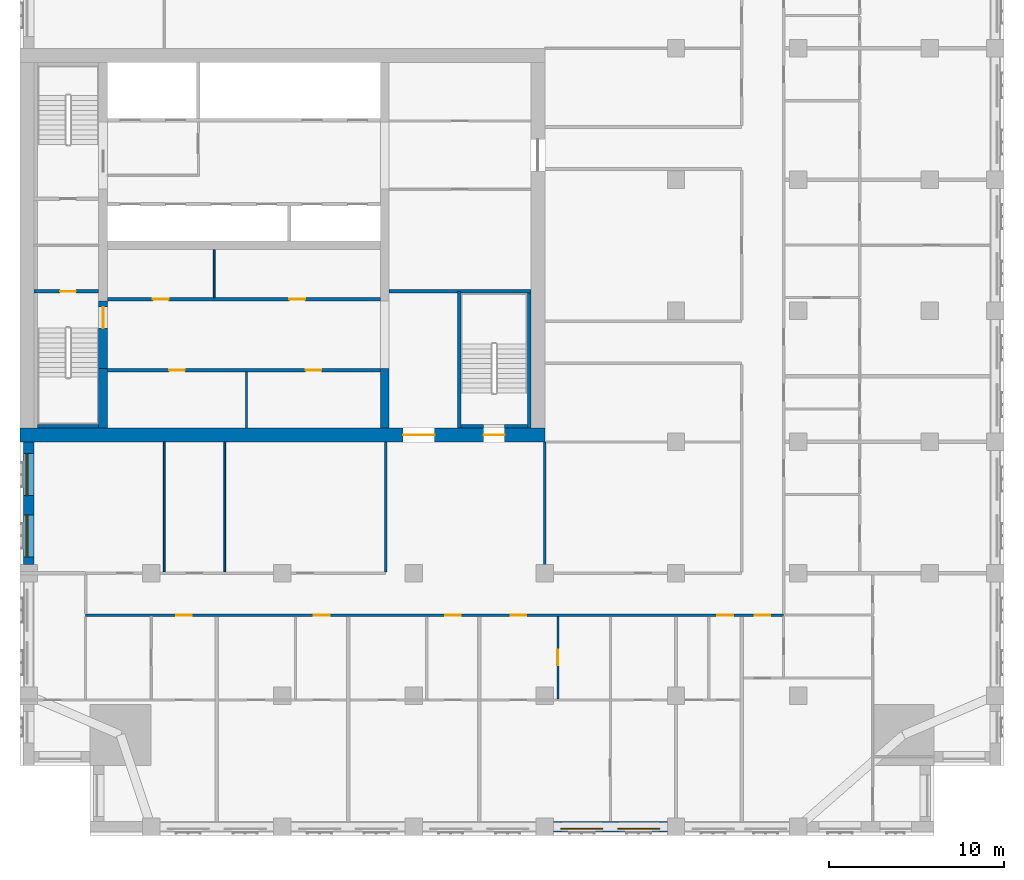
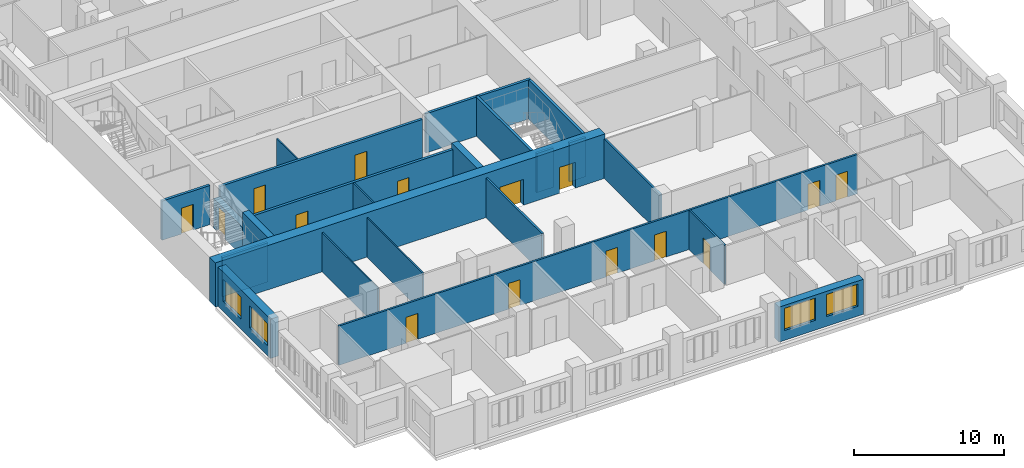
# One storey, part 5 of 14: 23 walls, 15 doors, 4 windows, 19 openings.
"""IFC4 building model written with IfcOpenShell, lengths in metres."""

import ifcopenshell
import ifcopenshell.guid

model = None  # the IFC model being written
_history = None  # IfcOwnerHistory: only IFC2X3 demands one
_inside = {}  # id of a spatial element -> (the spatial element, [elements in it])
_under = {}  # id of a project, library or spatial element -> (it, [spatial elements below it])
_declared = {}  # id of a project -> (the project, [libraries it declares])
_typed = {}  # id of a type object -> (the type object, [elements of that type])
_made_of = {}  # id of a material, layer set ... -> (it, [elements and type objects made of it])


def new_model(schema):
    """Start an empty IFC model of exactly this schema.

    Asked for "IFC4X3", IfcOpenShell would pick the latest addendum, in which some entities
    have other attributes; the version numbers below select the first issue.
    IFC2X3 requires an IfcOwnerHistory on every rooted entity: one is made here for all.
    """
    global model, _history
    if schema == "IFC4X3":
        model = ifcopenshell.file(schema_version=(4, 3, 0, 0))
    else:
        model = ifcopenshell.file(schema=schema)
    _inside.clear()
    _under.clear()
    _declared.clear()
    _typed.clear()
    _made_of.clear()
    _history = None
    if model.schema == "IFC2X3":
        org = make("IfcOrganization", Name="unknown")
        user = make(
            "IfcPersonAndOrganization",
            ThePerson=make("IfcPerson", FamilyName="unknown"),
            TheOrganization=org,
        )
        app = make(
            "IfcApplication",
            ApplicationDeveloper=org,
            Version="unknown",
            ApplicationFullName="unknown",
            ApplicationIdentifier="unknown",
        )
        _history = make(
            "IfcOwnerHistory",
            OwningUser=user,
            OwningApplication=app,
            ChangeAction="ADDED",
            CreationDate=0,
        )
    return model


def make(cls, **values):
    """One entity of the class cls with the attributes given. An attribute that is None is left unset."""
    return model.create_entity(
        cls, **{name: value for name, value in values.items() if value is not None}
    )


def rooted(cls, **values):
    """An entity with a GlobalId (a new one), such as an element, a storey or a relation."""
    return make(cls, GlobalId=ifcopenshell.guid.new(), OwnerHistory=_history, **values)


def si_unit(unit_type, name, prefix=None):
    """IfcSIUnit, for example si_unit("LENGTHUNIT", "METRE", prefix="MILLI")."""
    return make("IfcSIUnit", UnitType=unit_type, Prefix=prefix, Name=name)


def assignment(units):
    """IfcUnitAssignment: the units of a project."""
    return None if units is None else make("IfcUnitAssignment", Units=units)


def point(xyz):
    """IfcCartesianPoint."""
    return None if xyz is None else make("IfcCartesianPoint", Coordinates=xyz)


def direction(xyz):
    """IfcDirection."""
    return None if xyz is None else make("IfcDirection", DirectionRatios=xyz)


def frame(location, z_axis=None, x_axis=None):
    """IfcAxis2Placement3D, a coordinate frame: its origin and axes. An axis left out is left unset."""
    return make(
        "IfcAxis2Placement3D",
        Location=point(location),
        Axis=direction(z_axis),
        RefDirection=direction(x_axis),
    )


def frame_2d(location, x_axis=None):
    """IfcAxis2Placement2D, a coordinate frame in the plane: its origin and x axis."""
    return make(
        "IfcAxis2Placement2D", Location=point(location), RefDirection=direction(x_axis)
    )


def origin():
    """The frame at (0, 0, 0) with its axes left unset."""
    return frame((0.0, 0.0, 0.0))


def place(relative_to, where):
    """IfcLocalPlacement: puts the frame where relative to a parent placement (None: the world)."""
    return make(
        "IfcLocalPlacement", PlacementRelTo=relative_to, RelativePlacement=where
    )


def context(
    kind, dimensions, precision=None, world=None, true_north=None, identifier=None
):
    """IfcGeometricRepresentationContext, for example the 3D "Model" context."""
    return make(
        "IfcGeometricRepresentationContext",
        ContextIdentifier=identifier,
        ContextType=kind,
        CoordinateSpaceDimension=dimensions,
        Precision=precision,
        WorldCoordinateSystem=world,
        TrueNorth=true_north,
    )


def subcontext(parent, identifier, kind, view, scale=None):
    """IfcGeometricRepresentationSubContext, for example "Body" below "Model"."""
    return make(
        "IfcGeometricRepresentationSubContext",
        ContextIdentifier=identifier,
        ContextType=kind,
        ParentContext=parent,
        TargetScale=scale,
        TargetView=view,
    )


def project(units=None, contexts=None):
    """IfcProject with its units and contexts."""
    return rooted(
        "IfcProject",
        Name="project",
        RepresentationContexts=contexts,
        UnitsInContext=assignment(units),
    )


def spatial(cls, under=None, at=None, **own):
    """A site, building, storey or space (cls), placed at a placement, below another one or the project."""
    s = rooted(cls, ObjectPlacement=at, **own)
    if under is not None:
        _under.setdefault(under.id(), (under, []))[1].append(s)
    return s


def profile(cls, at=None, kind="AREA", **sizes):
    """A parametric profile (cls). Its sizes go by their IFC names, for example OverallWidth=200.0."""
    return make(cls, ProfileType=kind, Position=at, **sizes)


def rectangle(**sizes):
    """IfcRectangleProfileDef."""
    return profile("IfcRectangleProfileDef", **sizes)


def extrude(swept, where, along, depth):
    """IfcExtrudedAreaSolid: the profile swept, set in the frame where, extruded along a direction by depth."""
    return make(
        "IfcExtrudedAreaSolid",
        SweptArea=swept,
        Position=where,
        ExtrudedDirection=direction(along),
        Depth=depth,
    )


def shape(context_of_items, identifier, shape_type, items):
    """IfcShapeRepresentation: the items that make up one representation, for example the "Body"."""
    return make(
        "IfcShapeRepresentation",
        ContextOfItems=context_of_items,
        RepresentationIdentifier=identifier,
        RepresentationType=shape_type,
        Items=items,
    )


def material(Name=None, Category=None):
    """IfcMaterial."""
    return make("IfcMaterial", Name=Name, Category=Category)


def layer(
    of_material, thickness, ventilated=None, Name=None, Category=None, Priority=None
):
    """IfcMaterialLayer: one layer of a wall or slab, of a material (None: an air gap)."""
    return make(
        "IfcMaterialLayer",
        Material=of_material,
        LayerThickness=thickness,
        IsVentilated=ventilated,
        Name=Name,
        Category=Category,
        Priority=Priority,
    )


def layer_set(layers, Name=None):
    """IfcMaterialLayerSet."""
    return make("IfcMaterialLayerSet", MaterialLayers=layers, LayerSetName=Name)


def made_of(thing, what):
    """Note that an element or type object is made of a material, layer set ...; save() writes the relation."""
    if what is not None:
        _made_of.setdefault(what.id(), (what, []))[1].append(thing)
    return thing


def type_object(cls, material=None, **own):
    """A type object (cls), such as IfcWallType, which elements share."""
    return made_of(rooted(cls, **own), material)


def element(
    cls,
    number,
    at=None,
    inside=None,
    cuts=None,
    type_object=None,
    material=None,
    context=None,
    identifier="Body",
    shape_type=None,
    held_by="IfcProductDefinitionShape",
    body=None,
    shapes=None,
    **own,
):
    """One element of the class cls, such as IfcWall. Its Tag is "e" and its number.

    at: its placement. inside: the storey or other place that contains it. cuts: it is an
    opening in that element (IfcRelVoidsElement). A single representation is given by context,
    identifier, shape_type and body (its items); several are given by shapes. held_by: the class
    of the entity that holds the representations. save() writes the other relations.
    """
    e = rooted(cls, Tag="e%d" % number, ObjectPlacement=at, **own)
    if body is not None:
        shapes = [shape(context, identifier, shape_type, body)]
    if shapes is not None:
        e.Representation = make(held_by, Representations=shapes)
    if inside is not None:
        _inside.setdefault(inside.id(), (inside, []))[1].append(e)
    if cuts is not None:
        rooted(
            "IfcRelVoidsElement", RelatingBuildingElement=cuts, RelatedOpeningElement=e
        )
    if type_object is not None:
        _typed.setdefault(type_object.id(), (type_object, []))[1].append(e)
    return made_of(e, material)


def fill(opening, filler):
    """IfcRelFillsElement: the door or window that sits in an opening."""
    return rooted(
        "IfcRelFillsElement",
        RelatingOpeningElement=opening,
        RelatedBuildingElement=filler,
    )


def aggregate(whole, parts):
    """IfcRelAggregates: a whole, such as a stair, and the parts it consists of."""
    return rooted("IfcRelAggregates", RelatingObject=whole, RelatedObjects=parts)


def save(model, path):
    """Write the relations noted so far, then the file.

    IfcRelAggregates (storeys below a building ...), IfcRelContainedInSpatialStructure (elements
    in a storey), IfcRelDefinesByType, IfcRelAssociatesMaterial and IfcRelDeclares: one each for
    every whole, place, type object, material and project.
    """
    for whole, parts in _under.values():
        aggregate(whole, parts)
    for where, things in _inside.values():
        rooted(
            "IfcRelContainedInSpatialStructure",
            RelatedElements=things,
            RelatingStructure=where,
        )
    for kind, things in _typed.values():
        rooted("IfcRelDefinesByType", RelatedObjects=things, RelatingType=kind)
    for what, things in _made_of.values():
        rooted("IfcRelAssociatesMaterial", RelatedObjects=things, RelatingMaterial=what)
    for by, libraries in _declared.values():
        rooted("IfcRelDeclares", RelatingContext=by, RelatedDefinitions=libraries)
    model.write(path)


model = new_model("IFC4")

# Units and contexts
model_context = context("Model", 3, precision=1e-05, world=origin(), true_north=direction((0.0, 1.0)))
body_context = subcontext(model_context, "Body", "Model", "MODEL_VIEW")
ifc_project = project(units=[si_unit("LENGTHUNIT", "METRE"), si_unit("AREAUNIT", "SQUARE_METRE"), si_unit("VOLUMEUNIT", "CUBIC_METRE"), si_unit("PLANEANGLEUNIT", "RADIAN"), si_unit("MASSUNIT", "GRAM", prefix="KILO")], contexts=[model_context])

# Site, building, storey
site_placement = place(None, origin())
site = spatial("IfcSite", under=ifc_project, at=site_placement, CompositionType="ELEMENT")
building_placement = place(site_placement, origin())
building = spatial("IfcBuilding", under=site, at=building_placement, Name="Tamorin Gate", CompositionType="ELEMENT")
storey_placement = place(building_placement, frame((0.0, 0.0, 162.60009765625)))
storey = spatial("IfcBuildingStorey", under=building, at=storey_placement, Name="L40", CompositionType="ELEMENT", Elevation=162.60009765625)

# Wall, openings, windows
ifc_material_1 = material(Name="Precast concrete C40/50", Category="concrete")
ifc_layer_1 = layer(ifc_material_1, 0.60009765625)
ifc_layer_set_1 = layer_set([ifc_layer_1], Name="Precast concrete C40/50")
wall_type_1 = type_object("IfcWallType", Name="Board-marked concrete facade panel 600", PredefinedType="SOLIDWALL", material=ifc_layer_set_1)
wall_1_placement = place(storey_placement, frame((60.5, 38.0, 0.0), z_axis=(0.0, 0.0, 1.0), x_axis=(1.0, 0.0, 0.0)))
wall_1 = element("IfcWall", 1, at=wall_1_placement, inside=storey, type_object=wall_type_1, Name="Facade panel", PredefinedType="SOLIDWALL", context=body_context, shape_type="SweptSolid", body=[
    extrude(rectangle(XDim=6.5, YDim=0.60009765625, at=frame_2d((3.25, 0.0))), origin(), (0.0, 0.0, 1.0), 2.849853515625),
])
opening_1_placement = place(wall_1_placement, frame((0.425048828125, 0.0, 0.800048828125)))
opening_1 = element("IfcOpeningElement", 2, at=opening_1_placement, cuts=wall_1, Name="Opening WN1", PredefinedType="OPENING", context=body_context, shape_type="SweptSolid", body=[
    extrude(rectangle(XDim=2.39990234375, YDim=1.800048828125, at=frame_2d((1.199951171875, 0.89990234375))), frame((0.0, 0.31005859375, 0.0), z_axis=(0.0, -1.0, 0.0), x_axis=(1.0, 0.0, 0.0)), (0.0, 0.0, 1.0), 0.6201171875),
])
opening_2_placement = place(wall_1_placement, frame((3.675048828125, 0.0, 0.800048828125)))
opening_2 = element("IfcOpeningElement", 3, at=opening_2_placement, cuts=wall_1, Name="Opening WN1", PredefinedType="OPENING", context=body_context, shape_type="SweptSolid", body=[
    extrude(rectangle(XDim=2.39990234375, YDim=1.800048828125, at=frame_2d((1.199951171875, 0.89990234375))), frame((0.0, 0.31005859375, 0.0), z_axis=(0.0, -1.0, 0.0), x_axis=(1.0, 0.0, 0.0)), (0.0, 0.0, 1.0), 0.6201171875),
])
ifc_material_2 = material(Name="Clear glass in aluminium frame", Category="aluminium")
window_type = type_object("IfcWindowType", Name="Deep-set window 2400x1800", PartitioningType="SINGLE_PANEL", PredefinedType="WINDOW", material=ifc_material_2)
window_1_placement = place(opening_1_placement, origin())
window_1 = element("IfcWindow", 4, at=window_1_placement, inside=storey, type_object=window_type, Name="Deep-set window", OverallHeight=1.800048828125, OverallWidth=2.39990234375, PartitioningType="SINGLE_PANEL", PredefinedType="WINDOW", context=body_context, shape_type="SweptSolid", body=[
    extrude(rectangle(XDim=2.39990234375, YDim=1.800048828125, at=frame_2d((1.199951171875, 0.89990234375))), frame((0.0, -0.070068359375, 0.0), z_axis=(0.0, -1.0, 0.0), x_axis=(1.0, 0.0, 0.0)), (0.0, 0.0, 1.0), 0.06005859375),
])
fill(opening_1, window_1)
window_2_placement = place(opening_2_placement, origin())
window_2 = element("IfcWindow", 5, at=window_2_placement, inside=storey, type_object=window_type, Name="Deep-set window", OverallHeight=1.800048828125, OverallWidth=2.39990234375, PartitioningType="SINGLE_PANEL", PredefinedType="WINDOW", context=body_context, shape_type="SweptSolid", body=[
    extrude(rectangle(XDim=2.39990234375, YDim=1.800048828125, at=frame_2d((1.199951171875, 0.89990234375))), frame((0.0, -0.070068359375, 0.0), z_axis=(0.0, -1.0, 0.0), x_axis=(1.0, 0.0, 0.0)), (0.0, 0.0, 1.0), 0.06005859375),
])
fill(opening_2, window_2)

wall_2_placement = place(storey_placement, frame((30.5, 60.0, 0.0), z_axis=(0.0, 0.0, 1.0), x_axis=(0.0, -1.0, 0.0)))
wall_2 = element("IfcWall", 6, at=wall_2_placement, inside=storey, type_object=wall_type_1, Name="Facade panel", PredefinedType="SOLIDWALL", context=body_context, shape_type="SweptSolid", body=[
    extrude(rectangle(XDim=7.0, YDim=0.60009765625, at=frame_2d((3.5, 0.0))), origin(), (0.0, 0.0, 1.0), 3.199951171875),
])
opening_3_placement = place(wall_2_placement, frame((4.175048828125, 0.0, 0.800048828125)))
opening_3 = element("IfcOpeningElement", 7, at=opening_3_placement, cuts=wall_2, Name="Opening WN1", PredefinedType="OPENING", context=body_context, shape_type="SweptSolid", body=[
    extrude(rectangle(XDim=2.39990234375, YDim=1.800048828125, at=frame_2d((1.199951171875, 0.89990234375))), frame((0.0, 0.31005859375, 0.0), z_axis=(0.0, -1.0, 0.0), x_axis=(1.0, 0.0, 0.0)), (0.0, 0.0, 1.0), 0.6201171875),
])
opening_4_placement = place(wall_2_placement, frame((0.675048828125, 0.0, 0.800048828125)))
opening_4 = element("IfcOpeningElement", 8, at=opening_4_placement, cuts=wall_2, Name="Opening WN1", PredefinedType="OPENING", context=body_context, shape_type="SweptSolid", body=[
    extrude(rectangle(XDim=2.39990234375, YDim=1.800048828125, at=frame_2d((1.199951171875, 0.89990234375))), frame((0.0, 0.31005859375, 0.0), z_axis=(0.0, -1.0, 0.0), x_axis=(1.0, 0.0, 0.0)), (0.0, 0.0, 1.0), 0.6201171875),
])
window_3_placement = place(opening_3_placement, origin())
window_3 = element("IfcWindow", 9, at=window_3_placement, inside=storey, type_object=window_type, Name="Deep-set window", OverallHeight=1.800048828125, OverallWidth=2.39990234375, PartitioningType="SINGLE_PANEL", PredefinedType="WINDOW", context=body_context, shape_type="SweptSolid", body=[
    extrude(rectangle(XDim=2.39990234375, YDim=1.800048828125, at=frame_2d((1.199951171875, 0.89990234375))), frame((0.0, -0.070068359375, 0.0), z_axis=(0.0, -1.0, 0.0), x_axis=(1.0, 0.0, 0.0)), (0.0, 0.0, 1.0), 0.06005859375),
])
fill(opening_3, window_3)
window_4_placement = place(opening_4_placement, origin())
window_4 = element("IfcWindow", 10, at=window_4_placement, inside=storey, type_object=window_type, Name="Deep-set window", OverallHeight=1.800048828125, OverallWidth=2.39990234375, PartitioningType="SINGLE_PANEL", PredefinedType="WINDOW", context=body_context, shape_type="SweptSolid", body=[
    extrude(rectangle(XDim=2.39990234375, YDim=1.800048828125, at=frame_2d((1.199951171875, 0.89990234375))), frame((0.0, -0.070068359375, 0.0), z_axis=(0.0, -1.0, 0.0), x_axis=(1.0, 0.0, 0.0)), (0.0, 0.0, 1.0), 0.06005859375),
])
fill(opening_4, window_4)

# Wall, openings, doors
ifc_material_3 = material(Name="Gypsum board partition")
ifc_layer_2 = layer(ifc_material_3, 0.14990234375)
ifc_layer_set_2 = layer_set([ifc_layer_2], Name="Corridor wall 150")
wall_type_2 = type_object("IfcWallType", Name="Corridor wall 150", PredefinedType="PARTITIONING", material=ifc_layer_set_2)
wall_3_placement = place(storey_placement, frame((33.75, 50.10009765625, 0.0), z_axis=(0.0, 0.0, 1.0), x_axis=(1.0, 0.0, 0.0)))
wall_3 = element("IfcWall", 11, at=wall_3_placement, inside=storey, type_object=wall_type_2, Name="Corridor wall 150", PredefinedType="PARTITIONING", context=body_context, shape_type="SweptSolid", body=[
    extrude(rectangle(XDim=39.89990234375, YDim=0.14990234375, at=frame_2d((19.949951171875, 0.0))), origin(), (0.0, 0.0, 1.0), 3.199951171875),
])
opening_5_placement = place(wall_3_placement, frame((5.175048828125, 0.0, 0.0)))
opening_5 = element("IfcOpeningElement", 12, at=opening_5_placement, cuts=wall_3, Name="Opening DS2003", PredefinedType="OPENING", context=body_context, shape_type="SweptSolid", body=[
    extrude(rectangle(XDim=0.89990234375, YDim=2.10009765625, at=frame_2d((0.449951171875, 1.050048828125))), frame((0.0, 0.0849609375, 0.0), z_axis=(0.0, -1.0, 0.0), x_axis=(1.0, 0.0, 0.0)), (0.0, 0.0, 1.0), 0.169921875),
])
opening_6_placement = place(wall_3_placement, frame((13.050048828125, 0.0, 0.0)))
opening_6 = element("IfcOpeningElement", 13, at=opening_6_placement, cuts=wall_3, Name="Opening DS2006", PredefinedType="OPENING", context=body_context, shape_type="SweptSolid", body=[
    extrude(rectangle(XDim=0.89990234375, YDim=2.10009765625, at=frame_2d((0.449951171875, 1.050048828125))), frame((0.0, 0.0849609375, 0.0), z_axis=(0.0, -1.0, 0.0), x_axis=(1.0, 0.0, 0.0)), (0.0, 0.0, 1.0), 0.169921875),
])
opening_7_placement = place(wall_3_placement, frame((20.550048828125, 0.0, 0.0)))
opening_7 = element("IfcOpeningElement", 14, at=opening_7_placement, cuts=wall_3, Name="Opening DS2009", PredefinedType="OPENING", context=body_context, shape_type="SweptSolid", body=[
    extrude(rectangle(XDim=0.89990234375, YDim=2.10009765625, at=frame_2d((0.449951171875, 1.050048828125))), frame((0.0, 0.0849609375, 0.0), z_axis=(0.0, -1.0, 0.0), x_axis=(1.0, 0.0, 0.0)), (0.0, 0.0, 1.0), 0.169921875),
])
opening_8_placement = place(wall_3_placement, frame((24.300048828125, 0.0, 0.0)))
opening_8 = element("IfcOpeningElement", 15, at=opening_8_placement, cuts=wall_3, Name="Opening DS2011", PredefinedType="OPENING", context=body_context, shape_type="SweptSolid", body=[
    extrude(rectangle(XDim=0.89990234375, YDim=2.10009765625, at=frame_2d((0.449951171875, 1.050048828125))), frame((0.0, 0.0849609375, 0.0), z_axis=(0.0, -1.0, 0.0), x_axis=(1.0, 0.0, 0.0)), (0.0, 0.0, 1.0), 0.169921875),
])
opening_9_placement = place(wall_3_placement, frame((36.112548828125, 0.0, 0.0)))
opening_9 = element("IfcOpeningElement", 16, at=opening_9_placement, cuts=wall_3, Name="Opening DS2017", PredefinedType="OPENING", context=body_context, shape_type="SweptSolid", body=[
    extrude(rectangle(XDim=0.89990234375, YDim=2.10009765625, at=frame_2d((0.449951171875, 1.050048828125))), frame((0.0, 0.0849609375, 0.0), z_axis=(0.0, -1.0, 0.0), x_axis=(1.0, 0.0, 0.0)), (0.0, 0.0, 1.0), 0.169921875),
])
opening_10_placement = place(wall_3_placement, frame((38.25, 0.0, 0.0)))
opening_10 = element("IfcOpeningElement", 17, at=opening_10_placement, cuts=wall_3, Name="Opening DS2054", PredefinedType="OPENING", context=body_context, shape_type="SweptSolid", body=[
    extrude(rectangle(XDim=0.89990234375, YDim=2.10009765625, at=frame_2d((0.449951171875, 1.050048828125))), frame((0.0, 0.0849609375, 0.0), z_axis=(0.0, -1.0, 0.0), x_axis=(1.0, 0.0, 0.0)), (0.0, 0.0, 1.0), 0.169921875),
])
ifc_material_4 = material(Name="Timber door leaf", Category="wood")
door_type_1 = type_object("IfcDoorType", Name="Door 900 x 2100 FD30S", OperationType="NOTDEFINED", PredefinedType="DOOR", material=ifc_material_4)
door_1_placement = place(opening_5_placement, origin())
door_1 = element("IfcDoor", 18, at=door_1_placement, inside=storey, type_object=door_type_1, Name="Door DS2003", OperationType="SINGLE_SWING_RIGHT", OverallHeight=2.10009765625, OverallWidth=0.89990234375, PredefinedType="DOOR", context=body_context, shape_type="SweptSolid", body=[
    extrude(rectangle(XDim=0.89990234375, YDim=2.10009765625, at=frame_2d((0.449951171875, 1.050048828125))), frame((0.0, 0.02490234375, 0.0), z_axis=(0.0, -1.0, 0.0), x_axis=(1.0, 0.0, 0.0)), (0.0, 0.0, 1.0), 0.050048828125),
])
fill(opening_5, door_1)
door_2_placement = place(opening_6_placement, origin())
door_2 = element("IfcDoor", 19, at=door_2_placement, inside=storey, type_object=door_type_1, Name="Door DS2006", OperationType="SINGLE_SWING_RIGHT", OverallHeight=2.10009765625, OverallWidth=0.89990234375, PredefinedType="DOOR", context=body_context, shape_type="SweptSolid", body=[
    extrude(rectangle(XDim=0.89990234375, YDim=2.10009765625, at=frame_2d((0.449951171875, 1.050048828125))), frame((0.0, 0.02490234375, 0.0), z_axis=(0.0, -1.0, 0.0), x_axis=(1.0, 0.0, 0.0)), (0.0, 0.0, 1.0), 0.050048828125),
])
fill(opening_6, door_2)
door_3_placement = place(opening_7_placement, origin())
door_3 = element("IfcDoor", 20, at=door_3_placement, inside=storey, type_object=door_type_1, Name="Door DS2009", OperationType="SINGLE_SWING_RIGHT", OverallHeight=2.10009765625, OverallWidth=0.89990234375, PredefinedType="DOOR", context=body_context, shape_type="SweptSolid", body=[
    extrude(rectangle(XDim=0.89990234375, YDim=2.10009765625, at=frame_2d((0.449951171875, 1.050048828125))), frame((0.0, 0.02490234375, 0.0), z_axis=(0.0, -1.0, 0.0), x_axis=(1.0, 0.0, 0.0)), (0.0, 0.0, 1.0), 0.050048828125),
])
fill(opening_7, door_3)
door_4_placement = place(opening_8_placement, origin())
door_4 = element("IfcDoor", 21, at=door_4_placement, inside=storey, type_object=door_type_1, Name="Door DS2011", OperationType="SINGLE_SWING_RIGHT", OverallHeight=2.10009765625, OverallWidth=0.89990234375, PredefinedType="DOOR", context=body_context, shape_type="SweptSolid", body=[
    extrude(rectangle(XDim=0.89990234375, YDim=2.10009765625, at=frame_2d((0.449951171875, 1.050048828125))), frame((0.0, 0.02490234375, 0.0), z_axis=(0.0, -1.0, 0.0), x_axis=(1.0, 0.0, 0.0)), (0.0, 0.0, 1.0), 0.050048828125),
])
fill(opening_8, door_4)
door_5_placement = place(opening_9_placement, origin())
door_5 = element("IfcDoor", 22, at=door_5_placement, inside=storey, type_object=door_type_1, Name="Door DS2017", OperationType="SINGLE_SWING_RIGHT", OverallHeight=2.10009765625, OverallWidth=0.89990234375, PredefinedType="DOOR", context=body_context, shape_type="SweptSolid", body=[
    extrude(rectangle(XDim=0.89990234375, YDim=2.10009765625, at=frame_2d((0.449951171875, 1.050048828125))), frame((0.0, 0.02490234375, 0.0), z_axis=(0.0, -1.0, 0.0), x_axis=(1.0, 0.0, 0.0)), (0.0, 0.0, 1.0), 0.050048828125),
])
fill(opening_9, door_5)
door_6_placement = place(opening_10_placement, origin())
door_6 = element("IfcDoor", 23, at=door_6_placement, inside=storey, type_object=door_type_1, Name="Door DS2054", OperationType="SINGLE_SWING_LEFT", OverallHeight=2.10009765625, OverallWidth=0.89990234375, PredefinedType="DOOR", context=body_context, shape_type="SweptSolid", body=[
    extrude(rectangle(XDim=0.89990234375, YDim=2.10009765625, at=frame_2d((0.449951171875, 1.050048828125))), frame((0.0, 0.02490234375, 0.0), z_axis=(0.0, -1.0, 0.0), x_axis=(1.0, 0.0, 0.0)), (0.0, 0.0, 1.0), 0.050048828125),
])
fill(opening_10, door_6)

# Walls
ifc_layer_3 = layer(ifc_material_3, 0.14990234375)
ifc_layer_set_3 = layer_set([ifc_layer_3], Name="Lobby wall 150")
wall_type_3 = type_object("IfcWallType", Name="Lobby wall 150", PredefinedType="PARTITIONING", material=ifc_layer_set_3)
for number, where, z_axis, x_axis, name in (
    (24, (50.89990234375, 52.574951171875, 0.0), (0.0, 0.0, 1.0), (0.0, 1.0, 0.0), "Lobby wall 150"),
    (25, (60.0, 52.574951171875, 0.0), (0.0, 0.0, 1.0), (0.0, 1.0, 0.0), "Lobby wall 150"),
):
    element("IfcWall", number, at=place(storey_placement, frame(where, z_axis=z_axis, x_axis=x_axis)), inside=storey, type_object=wall_type_3, Name=name, PredefinedType="PARTITIONING", context=body_context, shape_type="SweptSolid", body=[
        extrude(rectangle(XDim=7.425048828125, YDim=0.14990234375, at=frame_2d((3.71240234375, 0.0))), origin(), (0.0, 0.0, 1.0), 3.199951171875),
    ])
ifc_material_5 = material(Name="Concrete C60/75", Category="concrete")
ifc_layer_4 = layer(ifc_material_5, 0.5)
ifc_layer_set_4 = layer_set([ifc_layer_4], Name="RC core internal wall 500 C60/75")
wall_type_4 = type_object("IfcWallType", Name="RC core internal wall 500 C60/75", PredefinedType="SHEAR", material=ifc_layer_set_4)
for number, where, z_axis, x_axis, name in (
    (26, (34.75, 60.800048828125, 0.0), (0.0, 0.0, 1.0), (0.0, 1.0, 0.0), "Core cross wall L40"),
    (27, (50.85009765625, 60.800048828125, 0.0), (0.0, 0.0, 1.0), (0.0, 1.0, 0.0), "Core cross wall L40"),
):
    element("IfcWall", number, at=place(storey_placement, frame(where, z_axis=z_axis, x_axis=x_axis)), inside=storey, type_object=wall_type_4, Name=name, PredefinedType="SHEAR", context=body_context, shape_type="SweptSolid", body=[
        extrude(rectangle(XDim=3.39990234375, YDim=0.5, at=frame_2d((1.699951171875, 0.0))), origin(), (0.0, 0.0, 1.0), 3.599853515625),
    ])

# Wall, openings, doors
ifc_layer_5 = layer(ifc_material_5, 0.800048828125)
ifc_layer_set_5 = layer_set([ifc_layer_5], Name="RC core wall 800 C60/75")
wall_type_5 = type_object("IfcWallType", Name="RC core wall 800 C60/75", PredefinedType="SHEAR", material=ifc_layer_set_5)
wall_4_placement = place(storey_placement, frame((30.0, 60.39990234375, 0.0), z_axis=(0.0, 0.0, 1.0), x_axis=(1.0, 0.0, 0.0)))
wall_4 = element("IfcWall", 28, at=wall_4_placement, inside=storey, type_object=wall_type_5, Name="Core wall L40", PredefinedType="SHEAR", context=body_context, shape_type="SweptSolid", body=[
    extrude(rectangle(XDim=30.0, YDim=0.800048828125, at=frame_2d((15.0, 0.0))), origin(), (0.0, 0.0, 1.0), 3.599853515625),
])
opening_11_placement = place(wall_4_placement, frame((21.89990234375, 0.0, 0.0)))
opening_11 = element("IfcOpeningElement", 29, at=opening_11_placement, cuts=wall_4, Name="Opening DE1", PredefinedType="OPENING", context=body_context, shape_type="SweptSolid", body=[
    extrude(rectangle(XDim=1.800048828125, YDim=2.10009765625, at=frame_2d((0.89990234375, 1.050048828125))), frame((0.0, 0.409912109375, 0.0), z_axis=(0.0, -1.0, 0.0), x_axis=(1.0, 0.0, 0.0)), (0.0, 0.0, 1.0), 0.820068359375),
])
opening_12_placement = place(wall_4_placement, frame((26.5, 0.0, 0.0)))
opening_12 = element("IfcOpeningElement", 30, at=opening_12_placement, cuts=wall_4, Name="Opening DS1", PredefinedType="OPENING", context=body_context, shape_type="SweptSolid", body=[
    extrude(rectangle(XDim=1.199951171875, YDim=2.10009765625, at=frame_2d((0.60009765625, 1.050048828125))), frame((0.0, 0.409912109375, 0.0), z_axis=(0.0, -1.0, 0.0), x_axis=(1.0, 0.0, 0.0)), (0.0, 0.0, 1.0), 0.820068359375),
])
ifc_material_6 = material(Name="Steel fire door", Category="steel")
door_type_2 = type_object("IfcDoorType", Name="Lobby exit double door 1800 x 2100 EI 60", OperationType="DOUBLE_DOOR_SINGLE_SWING", PredefinedType="DOOR", material=ifc_material_6)
door_7_placement = place(opening_11_placement, origin())
door_7 = element("IfcDoor", 31, at=door_7_placement, inside=storey, type_object=door_type_2, Name="Lift lobby A exit door", OperationType="DOUBLE_DOOR_SINGLE_SWING", OverallHeight=2.10009765625, OverallWidth=1.800048828125, PredefinedType="DOOR", context=body_context, shape_type="SweptSolid", body=[
    extrude(rectangle(XDim=1.800048828125, YDim=2.10009765625, at=frame_2d((0.89990234375, 1.050048828125))), frame((0.0, 0.02490234375, 0.0), z_axis=(0.0, -1.0, 0.0), x_axis=(1.0, 0.0, 0.0)), (0.0, 0.0, 1.0), 0.050048828125),
])
fill(opening_11, door_7)
door_type_3 = type_object("IfcDoorType", Name="Stair door 1200 x 2100 EI 90", OperationType="SINGLE_SWING_LEFT", PredefinedType="DOOR", material=ifc_material_6)
door_8_placement = place(opening_12_placement, origin())
door_8 = element("IfcDoor", 32, at=door_8_placement, inside=storey, type_object=door_type_3, Name="ST3 door", OperationType="SINGLE_SWING_LEFT", OverallHeight=2.10009765625, OverallWidth=1.199951171875, PredefinedType="DOOR", context=body_context, shape_type="SweptSolid", body=[
    extrude(rectangle(XDim=1.199951171875, YDim=2.10009765625, at=frame_2d((0.60009765625, 1.050048828125))), frame((0.0, 0.02490234375, 0.0), z_axis=(0.0, -1.0, 0.0), x_axis=(1.0, 0.0, 0.0)), (0.0, 0.0, 1.0), 0.050048828125),
])
fill(opening_12, door_8)

# Walls
ifc_layer_6 = layer(ifc_material_3, 0.10009765625)
ifc_layer_set_6 = layer_set([ifc_layer_6], Name="Room partition 100")
wall_type_6 = type_object("IfcWallType", Name="Room partition 100", PredefinedType="PARTITIONING", material=ifc_layer_set_6)
for number, where, z_axis, x_axis, name in (
    (33, (38.25, 52.574951171875, 0.0), (0.0, 0.0, 1.0), (0.0, 1.0, 0.0), "Room partition 100"),
    (34, (41.699951171875, 52.574951171875, 0.0), (0.0, 0.0, 1.0), (0.0, 1.0, 0.0), "Room partition 100"),
):
    element("IfcWall", number, at=place(storey_placement, frame(where, z_axis=z_axis, x_axis=x_axis)), inside=storey, type_object=wall_type_6, Name=name, PredefinedType="PARTITIONING", context=body_context, shape_type="SweptSolid", body=[
        extrude(rectangle(XDim=7.425048828125, YDim=0.10009765625, at=frame_2d((3.71240234375, 0.0))), origin(), (0.0, 0.0, 1.0), 3.199951171875),
    ])

# Wall, openings, doors
ifc_layer_7 = layer(ifc_material_3, 0.199951171875)
ifc_layer_set_7 = layer_set([ifc_layer_7], Name="Service room face wall 200 EI 60")
wall_type_7 = type_object("IfcWallType", Name="Service room face wall 200 EI 60", PredefinedType="PARTITIONING", material=ifc_layer_set_7)
wall_5_placement = place(storey_placement, frame((35.0, 64.10009765625, 0.0), z_axis=(0.0, 0.0, 1.0), x_axis=(1.0, 0.0, 0.0)))
wall_5 = element("IfcWall", 35, at=wall_5_placement, inside=storey, type_object=wall_type_7, Name="Service room face wall", PredefinedType="PARTITIONING", context=body_context, shape_type="SweptSolid", body=[
    extrude(rectangle(XDim=15.60009765625, YDim=0.199951171875, at=frame_2d((7.800048828125, 0.0))), origin(), (0.0, 0.0, 1.0), 3.18994140625),
])
opening_13_placement = place(wall_5_placement, frame((3.52490234375, 0.0, 0.0)))
opening_13 = element("IfcOpeningElement", 36, at=opening_13_placement, cuts=wall_5, Name="Opening DK1", PredefinedType="OPENING", context=body_context, shape_type="SweptSolid", body=[
    extrude(rectangle(XDim=0.89990234375, YDim=2.10009765625, at=frame_2d((0.449951171875, 1.050048828125))), frame((0.0, 0.10986328125, 0.0), z_axis=(0.0, -1.0, 0.0), x_axis=(1.0, 0.0, 0.0)), (0.0, 0.0, 1.0), 0.219970703125),
])
opening_14_placement = place(wall_5_placement, frame((11.324951171875, 0.0, 0.0)))
opening_14 = element("IfcOpeningElement", 37, at=opening_14_placement, cuts=wall_5, Name="Opening DK1", PredefinedType="OPENING", context=body_context, shape_type="SweptSolid", body=[
    extrude(rectangle(XDim=0.89990234375, YDim=2.10009765625, at=frame_2d((0.449951171875, 1.050048828125))), frame((0.0, 0.10986328125, 0.0), z_axis=(0.0, -1.0, 0.0), x_axis=(1.0, 0.0, 0.0)), (0.0, 0.0, 1.0), 0.219970703125),
])
ifc_material_7 = material(Name="Timber fire door", Category="wood")
door_type_4 = type_object("IfcDoorType", Name="Service room door 900 x 2100 EI 60", OperationType="SINGLE_SWING_LEFT", PredefinedType="DOOR", material=ifc_material_7)
door_9_placement = place(opening_13_placement, origin())
door_9 = element("IfcDoor", 38, at=door_9_placement, inside=storey, type_object=door_type_4, Name="Door Pantry", OperationType="SINGLE_SWING_RIGHT", OverallHeight=2.10009765625, OverallWidth=0.89990234375, PredefinedType="DOOR", context=body_context, shape_type="SweptSolid", body=[
    extrude(rectangle(XDim=0.89990234375, YDim=2.10009765625, at=frame_2d((0.449951171875, 1.050048828125))), frame((0.0, 0.02490234375, 0.0), z_axis=(0.0, -1.0, 0.0), x_axis=(1.0, 0.0, 0.0)), (0.0, 0.0, 1.0), 0.050048828125),
])
fill(opening_13, door_9)
door_10_placement = place(opening_14_placement, origin())
door_10 = element("IfcDoor", 39, at=door_10_placement, inside=storey, type_object=door_type_4, Name="Door Linen store", OperationType="SINGLE_SWING_LEFT", OverallHeight=2.10009765625, OverallWidth=0.89990234375, PredefinedType="DOOR", context=body_context, shape_type="SweptSolid", body=[
    extrude(rectangle(XDim=0.89990234375, YDim=2.10009765625, at=frame_2d((0.449951171875, 1.050048828125))), frame((0.0, 0.02490234375, 0.0), z_axis=(0.0, -1.0, 0.0), x_axis=(1.0, 0.0, 0.0)), (0.0, 0.0, 1.0), 0.050048828125),
])
fill(opening_14, door_10)

wall_6_placement = place(storey_placement, frame((35.0, 68.14990234375, 0.0), z_axis=(0.0, 0.0, 1.0), x_axis=(1.0, 0.0, 0.0)))
wall_6 = element("IfcWall", 40, at=wall_6_placement, inside=storey, type_object=wall_type_7, Name="Service room face wall", PredefinedType="PARTITIONING", context=body_context, shape_type="SweptSolid", body=[
    extrude(rectangle(XDim=15.60009765625, YDim=0.199951171875, at=frame_2d((7.800048828125, 0.0))), origin(), (0.0, 0.0, 1.0), 3.18994140625),
])
opening_15_placement = place(wall_6_placement, frame((2.60009765625, 0.0, 0.0)))
opening_15 = element("IfcOpeningElement", 41, at=opening_15_placement, cuts=wall_6, Name="Opening DK1", PredefinedType="OPENING", context=body_context, shape_type="SweptSolid", body=[
    extrude(rectangle(XDim=0.89990234375, YDim=2.10009765625, at=frame_2d((0.449951171875, 1.050048828125))), frame((0.0, 0.10986328125, 0.0), z_axis=(0.0, -1.0, 0.0), x_axis=(1.0, 0.0, 0.0)), (0.0, 0.0, 1.0), 0.219970703125),
])
opening_16_placement = place(wall_6_placement, frame((10.39990234375, 0.0, 0.0)))
opening_16 = element("IfcOpeningElement", 42, at=opening_16_placement, cuts=wall_6, Name="Opening DK1", PredefinedType="OPENING", context=body_context, shape_type="SweptSolid", body=[
    extrude(rectangle(XDim=0.89990234375, YDim=2.10009765625, at=frame_2d((0.449951171875, 1.050048828125))), frame((0.0, 0.10986328125, 0.0), z_axis=(0.0, -1.0, 0.0), x_axis=(1.0, 0.0, 0.0)), (0.0, 0.0, 1.0), 0.219970703125),
])
door_11_placement = place(opening_15_placement, origin())
door_11 = element("IfcDoor", 43, at=door_11_placement, inside=storey, type_object=door_type_4, Name="Door Cleaner's store", OperationType="SINGLE_SWING_RIGHT", OverallHeight=2.10009765625, OverallWidth=0.89990234375, PredefinedType="DOOR", context=body_context, shape_type="SweptSolid", body=[
    extrude(rectangle(XDim=0.89990234375, YDim=2.10009765625, at=frame_2d((0.449951171875, 1.050048828125))), frame((0.0, 0.02490234375, 0.0), z_axis=(0.0, -1.0, 0.0), x_axis=(1.0, 0.0, 0.0)), (0.0, 0.0, 1.0), 0.050048828125),
])
fill(opening_15, door_11)
door_12_placement = place(opening_16_placement, origin())
door_12 = element("IfcDoor", 44, at=door_12_placement, inside=storey, type_object=door_type_4, Name="Door Pantry", OperationType="SINGLE_SWING_LEFT", OverallHeight=2.10009765625, OverallWidth=0.89990234375, PredefinedType="DOOR", context=body_context, shape_type="SweptSolid", body=[
    extrude(rectangle(XDim=0.89990234375, YDim=2.10009765625, at=frame_2d((0.449951171875, 1.050048828125))), frame((0.0, 0.02490234375, 0.0), z_axis=(0.0, -1.0, 0.0), x_axis=(1.0, 0.0, 0.0)), (0.0, 0.0, 1.0), 0.050048828125),
])
fill(opening_16, door_12)

# Walls
ifc_layer_8 = layer(ifc_material_3, 0.10009765625)
ifc_layer_set_8 = layer_set([ifc_layer_8], Name="Service room partition 100 EI 60")
wall_type_8 = type_object("IfcWallType", Name="Service room partition 100 EI 60", PredefinedType="PARTITIONING", material=ifc_layer_set_8)
wall_7_placement = place(storey_placement, frame((42.949951171875, 60.800048828125, 0.0), z_axis=(0.0, 0.0, 1.0), x_axis=(0.0, 1.0, 0.0)))
element("IfcWall", 45, at=wall_7_placement, inside=storey, type_object=wall_type_8, Name="Service room partition", PredefinedType="PARTITIONING", context=body_context, shape_type="SweptSolid", body=[
    extrude(rectangle(XDim=3.199951171875, YDim=0.10009765625, at=frame_2d((1.60009765625, 0.0))), origin(), (0.0, 0.0, 1.0), 3.18994140625),
])
wall_8_placement = place(storey_placement, frame((41.10009765625, 68.25, 0.0), z_axis=(0.0, 0.0, 1.0), x_axis=(0.0, 1.0, 0.0)))
element("IfcWall", 46, at=wall_8_placement, inside=storey, type_object=wall_type_8, Name="Service room partition", PredefinedType="PARTITIONING", context=body_context, shape_type="SweptSolid", body=[
    extrude(rectangle(XDim=2.75, YDim=0.10009765625, at=frame_2d((1.375, 0.0))), origin(), (0.0, 0.0, 1.0), 3.18994140625),
])

# Wall, opening, door
ifc_material_8 = material(Name="Concrete C40/50", Category="concrete")
ifc_layer_9 = layer(ifc_material_8, 0.199951171875)
ifc_layer_set_9 = layer_set([ifc_layer_9], Name="Stair enclosure wall 200 EI 120 C40/50")
wall_type_9 = type_object("IfcWallType", Name="Stair enclosure wall 200 EI 120 C40/50", PredefinedType="SOLIDWALL", material=ifc_layer_set_9)
wall_9_placement = place(storey_placement, frame((30.800048828125, 68.60009765625, 0.0), z_axis=(0.0, 0.0, 1.0), x_axis=(1.0, 0.0, 0.0)))
wall_9 = element("IfcWall", 47, at=wall_9_placement, inside=storey, type_object=wall_type_9, Name="Stair enclosure wall", PredefinedType="SOLIDWALL", context=body_context, shape_type="SweptSolid", body=[
    extrude(rectangle(XDim=3.699951171875, YDim=0.199951171875, at=frame_2d((1.85009765625, 0.0))), origin(), (0.0, 0.0, 1.0), 3.18994140625),
])
opening_17_placement = place(wall_9_placement, frame((1.5, 0.0, 0.0)))
opening_17 = element("IfcOpeningElement", 48, at=opening_17_placement, cuts=wall_9, Name="Opening DR1", PredefinedType="OPENING", context=body_context, shape_type="SweptSolid", body=[
    extrude(rectangle(XDim=0.89990234375, YDim=2.10009765625, at=frame_2d((0.449951171875, 1.050048828125))), frame((0.0, 0.10986328125, 0.0), z_axis=(0.0, -1.0, 0.0), x_axis=(1.0, 0.0, 0.0)), (0.0, 0.0, 1.0), 0.219970703125),
])
door_type_5 = type_object("IfcDoorType", Name="Riser access door 900 x 2100 EI 120", OperationType="SINGLE_SWING_LEFT", PredefinedType="DOOR", material=ifc_material_6)
door_13_placement = place(opening_17_placement, origin())
door_13 = element("IfcDoor", 49, at=door_13_placement, inside=storey, type_object=door_type_5, Name="Electrical riser door", OperationType="SINGLE_SWING_LEFT", OverallHeight=2.10009765625, OverallWidth=0.89990234375, PredefinedType="DOOR", context=body_context, shape_type="SweptSolid", body=[
    extrude(rectangle(XDim=0.89990234375, YDim=2.10009765625, at=frame_2d((0.449951171875, 1.050048828125))), frame((0.0, 0.02490234375, 0.0), z_axis=(0.0, -1.0, 0.0), x_axis=(1.0, 0.0, 0.0)), (0.0, 0.0, 1.0), 0.050048828125),
])
fill(opening_17, door_13)

# Walls
wall_10_placement = place(storey_placement, frame((55.10009765625, 60.800048828125, 0.0), z_axis=(0.0, 0.0, 1.0), x_axis=(0.0, 1.0, 0.0)))
element("IfcWall", 50, at=wall_10_placement, inside=storey, type_object=wall_type_9, Name="Stair enclosure wall", PredefinedType="SOLIDWALL", context=body_context, shape_type="SweptSolid", body=[
    extrude(rectangle(XDim=7.800048828125, YDim=0.199951171875, at=frame_2d((3.89990234375, 0.0))), origin(), (0.0, 0.0, 1.0), 3.18994140625),
])
wall_11_placement = place(storey_placement, frame((51.10009765625, 68.60009765625, 0.0), z_axis=(0.0, 0.0, 1.0), x_axis=(1.0, 0.0, 0.0)))
element("IfcWall", 51, at=wall_11_placement, inside=storey, type_object=wall_type_9, Name="Stair enclosure wall", PredefinedType="SOLIDWALL", context=body_context, shape_type="SweptSolid", body=[
    extrude(rectangle(XDim=8.099853515625, YDim=0.199951171875, at=frame_2d((4.0498046875, 0.0))), origin(), (0.0, 0.0, 1.0), 3.18994140625),
])
ifc_layer_10 = layer(ifc_material_5, 0.199951171875)
ifc_layer_set_10 = layer_set([ifc_layer_10], Name="Stair lining wall 200 EI 120 C60/75")
wall_type_10 = type_object("IfcWallType", Name="Stair lining wall 200 EI 120 C60/75", PredefinedType="SOLIDWALL", material=ifc_layer_set_10)
wall_12_placement = place(storey_placement, frame((31.0, 60.89990234375, 0.0), z_axis=(0.0, 0.0, 1.0), x_axis=(1.0, 0.0, 0.0)))
element("IfcWall", 52, at=wall_12_placement, inside=storey, type_object=wall_type_10, Name="Stair lining wall", PredefinedType="SOLIDWALL", context=body_context, shape_type="SweptSolid", body=[
    extrude(rectangle(XDim=3.5, YDim=0.199951171875, at=frame_2d((1.75, 0.0))), origin(), (0.0, 0.0, 1.0), 3.18994140625),
])
for number, where, z_axis, x_axis, name in (
    (53, (55.199951171875, 60.89990234375, 0.0), (0.0, 0.0, 1.0), (1.0, 0.0, 0.0), "Stair lining wall"),
    (54, (57.699951171875, 60.89990234375, 0.0), (0.0, 0.0, 1.0), (1.0, 0.0, 0.0), "Stair lining wall"),
):
    element("IfcWall", number, at=place(storey_placement, frame(where, z_axis=z_axis, x_axis=x_axis)), inside=storey, type_object=wall_type_10, Name=name, PredefinedType="SOLIDWALL", context=body_context, shape_type="SweptSolid", body=[
        extrude(rectangle(XDim=1.300048828125, YDim=0.199951171875, at=frame_2d((0.64990234375, 0.0))), origin(), (0.0, 0.0, 1.0), 3.18994140625),
    ])
wall_13_placement = place(storey_placement, frame((59.10009765625, 60.800048828125, 0.0), z_axis=(0.0, 0.0, 1.0), x_axis=(0.0, 1.0, 0.0)))
element("IfcWall", 55, at=wall_13_placement, inside=storey, type_object=wall_type_10, Name="Stair lining wall", PredefinedType="SOLIDWALL", context=body_context, shape_type="SweptSolid", body=[
    extrude(rectangle(XDim=7.699951171875, YDim=0.199951171875, at=frame_2d((3.85009765625, 0.0))), origin(), (0.0, 0.0, 1.0), 3.18994140625),
])

# Wall, opening, door
ifc_material_9 = material(Name="Concrete C32/40", Category="concrete")
ifc_layer_11 = layer(ifc_material_9, 0.5)
ifc_layer_set_11 = layer_set([ifc_layer_11], Name="Stair lobby infill wall 500 EI 120")
wall_type_11 = type_object("IfcWallType", Name="Stair lobby infill wall 500 EI 120", PredefinedType="SOLIDWALL", material=ifc_layer_set_11)
wall_14_placement = place(storey_placement, frame((34.75, 64.199951171875, 0.0), z_axis=(0.0, 0.0, 1.0), x_axis=(0.0, 1.0, 0.0)))
wall_14 = element("IfcWall", 56, at=wall_14_placement, inside=storey, type_object=wall_type_11, Name="Stair lobby infill wall", PredefinedType="SOLIDWALL", context=body_context, shape_type="SweptSolid", body=[
    extrude(rectangle(XDim=3.85009765625, YDim=0.5, at=frame_2d((1.925048828125, 0.0))), origin(), (0.0, 0.0, 1.0), 2.39990234375),
])
opening_18_placement = place(wall_14_placement, frame((2.300048828125, 0.0, 0.0)))
opening_18 = element("IfcOpeningElement", 57, at=opening_18_placement, cuts=wall_14, Name="Opening DS1", PredefinedType="OPENING", context=body_context, shape_type="SweptSolid", body=[
    extrude(rectangle(XDim=1.199951171875, YDim=2.10009765625, at=frame_2d((0.60009765625, 1.050048828125))), frame((0.0, 0.260009765625, 0.0), z_axis=(0.0, -1.0, 0.0), x_axis=(1.0, 0.0, 0.0)), (0.0, 0.0, 1.0), 0.52001953125),
])
door_14_placement = place(opening_18_placement, origin())
door_14 = element("IfcDoor", 58, at=door_14_placement, inside=storey, type_object=door_type_3, Name="ST1 door", OperationType="SINGLE_SWING_LEFT", OverallHeight=2.10009765625, OverallWidth=1.199951171875, PredefinedType="DOOR", context=body_context, shape_type="SweptSolid", body=[
    extrude(rectangle(XDim=1.199951171875, YDim=2.10009765625, at=frame_2d((0.60009765625, 1.050048828125))), frame((0.0, 0.02490234375, 0.0), z_axis=(0.0, -1.0, 0.0), x_axis=(1.0, 0.0, 0.0)), (0.0, 0.0, 1.0), 0.050048828125),
])
fill(opening_18, door_14)

ifc_layer_12 = layer(ifc_material_3, 0.125)
ifc_layer_set_12 = layer_set([ifc_layer_12], Name="Wet wall 125")
wall_type_12 = type_object("IfcWallType", Name="Wet wall 125", PredefinedType="PARTITIONING", material=ifc_layer_set_12)
wall_15_placement = place(storey_placement, frame((60.75, 45.3125, 0.0), z_axis=(0.0, 0.0, 1.0), x_axis=(0.0, 1.0, 0.0)))
wall_15 = element("IfcWall", 59, at=wall_15_placement, inside=storey, type_object=wall_type_12, Name="Wet wall 125", PredefinedType="PARTITIONING", context=body_context, shape_type="SweptSolid", body=[
    extrude(rectangle(XDim=4.71240234375, YDim=0.125, at=frame_2d((2.356201171875, 0.0))), origin(), (0.0, 0.0, 1.0), 3.199951171875),
])
opening_19_placement = place(wall_15_placement, frame((1.91259765625, 0.0, 0.0)))
opening_19 = element("IfcOpeningElement", 60, at=opening_19_placement, cuts=wall_15, Name="Opening DS2013", PredefinedType="OPENING", context=body_context, shape_type="SweptSolid", body=[
    extrude(rectangle(XDim=0.89990234375, YDim=2.10009765625, at=frame_2d((0.449951171875, 1.050048828125))), frame((0.0, 0.072509765625, 0.0), z_axis=(0.0, -1.0, 0.0), x_axis=(1.0, 0.0, 0.0)), (0.0, 0.0, 1.0), 0.14501953125),
])
door_type_6 = type_object("IfcDoorType", Name="Door 900 x 2100", OperationType="NOTDEFINED", PredefinedType="DOOR", material=ifc_material_4)
door_15_placement = place(opening_19_placement, origin())
door_15 = element("IfcDoor", 61, at=door_15_placement, inside=storey, type_object=door_type_6, Name="Door DS2013", OperationType="SINGLE_SWING_LEFT", OverallHeight=2.10009765625, OverallWidth=0.89990234375, PredefinedType="DOOR", context=body_context, shape_type="SweptSolid", body=[
    extrude(rectangle(XDim=0.89990234375, YDim=2.10009765625, at=frame_2d((0.449951171875, 1.050048828125))), frame((0.0, 0.02490234375, 0.0), z_axis=(0.0, -1.0, 0.0), x_axis=(1.0, 0.0, 0.0)), (0.0, 0.0, 1.0), 0.050048828125),
])
fill(opening_19, door_15)

save(model, "model.ifc")
